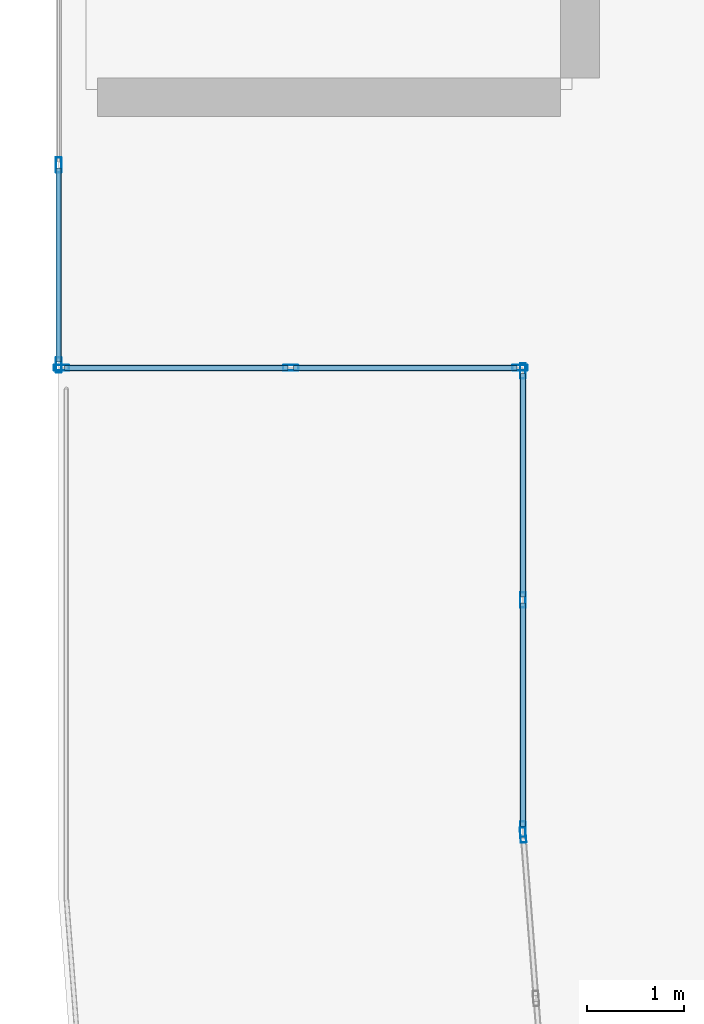
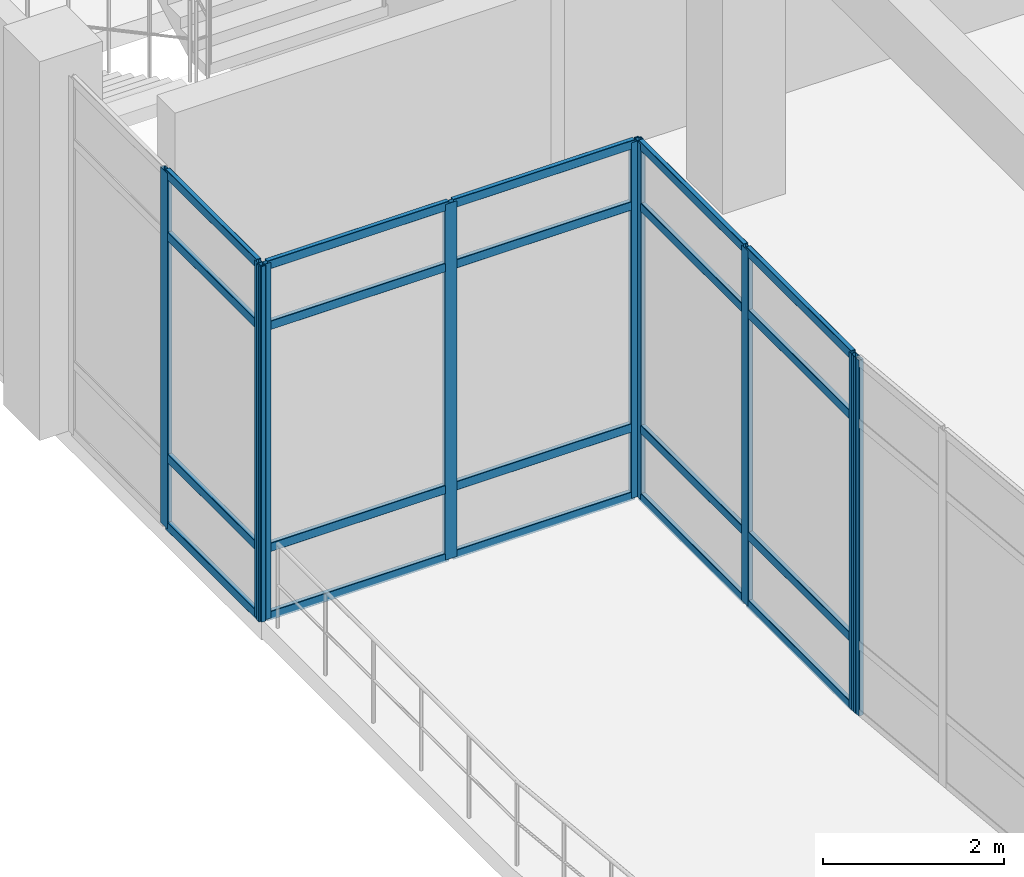
# One storey, part 8 of 124: 29 members, 4 elements without a shape of their own.
"""IFC4 building model written with IfcOpenShell, lengths in metres."""

from ifc_helpers import new_model, si_unit, derived_unit, direction, frame, origin, origin_2d, place, context, subcontext, project, spatial, hollow_rectangle, extrude, material, layer, layer_set, material_profile, profile_set, type_object, element, aggregate, save


model = new_model("IFC4")

# Units and contexts
model_context = context("Model", 3, precision=1e-05, world=origin(), true_north=direction((0.0, 1.0)))
body_context = subcontext(model_context, "Body", "Model", "MODEL_VIEW")
ifc_project = project(units=[si_unit("LENGTHUNIT", "METRE"), si_unit("AREAUNIT", "SQUARE_METRE"), si_unit("VOLUMEUNIT", "CUBIC_METRE"), si_unit("PLANEANGLEUNIT", "RADIAN"), si_unit("MASSUNIT", "GRAM", prefix="KILO"), derived_unit("THERMALTRANSMITTANCEUNIT", [(si_unit("MASSUNIT", "GRAM", prefix="KILO"), 1), (si_unit("TIMEUNIT", "SECOND"), -3), (si_unit("THERMODYNAMICTEMPERATUREUNIT", "KELVIN"), -1)])], contexts=[model_context])

# Site, building, storey
site_placement = place(None, origin())
site = spatial("IfcSite", under=ifc_project, at=site_placement, CompositionType="ELEMENT")
building_placement = place(site_placement, origin())
building = spatial("IfcBuilding", under=site, at=building_placement, Name="Qinzheling Arcade Emporium", CompositionType="ELEMENT")
storey_placement = place(building_placement, frame((0.0, 0.0, 16.5)))
storey = spatial("IfcBuildingStorey", under=building, at=storey_placement, Name="L04", CompositionType="ELEMENT", Elevation=16.5)

# Curtain wall, member
ifc_material_1 = material(Name="Anodised aluminium and solar-control double glazing", Category="aluminium")
ifc_layer_1 = layer(ifc_material_1, 0.159912109375, Name="Anodised aluminium and solar-control double glazing", Category="aluminium")
ifc_layer_set_1 = layer_set([ifc_layer_1], Name="Anodised aluminium and solar-control double glazing")
curtain_wall_type_1 = type_object("IfcCurtainWallType", Name="Curved Ribbon Sales Curtain Wall", PredefinedType="NOTDEFINED", material=ifc_layer_set_1)
curtain_wall_1_placement = place(storey_placement, origin())
curtain_wall_1 = element("IfcCurtainWall", 1, at=curtain_wall_1_placement, inside=storey, type_object=curtain_wall_type_1, Name="Curtain Wall CW-L04-234", PredefinedType="NOTDEFINED")
ifc_material_2 = material(Name="Anodised aluminium 6063-T6", Category="aluminium")
ifc_material_profile_1 = material_profile(ifc_material_2, hollow_rectangle(XDim=0.06005859375, YDim=0.159912109375, WallThickness=0.00390625, InnerFilletRadius=0.00390625, OuterFilletRadius=0.008056640625, at=origin_2d()), Name="RHS 160x60x4", Category="aluminium")
ifc_profile_set_1 = profile_set([ifc_material_profile_1], Name="Anodised aluminium 6063-T6")
member_type_1 = type_object("IfcMemberType", Name="Curtain Wall Mullion RHS160x60", PredefinedType="MULLION", material=ifc_profile_set_1)
member_1_placement = place(storey_placement, frame((4.80224609375, 24.170166015625, 0.0), z_axis=(0.0, 0.0, 1.0), x_axis=(-0.996914870157, -0.078490392152, 0.0)))
member_1 = element("IfcMember", 2, at=member_1_placement, type_object=member_type_1, Name="CW02 mullion 3", PredefinedType="MULLION", context=body_context, shape_type="SweptSolid", body=[
    extrude(hollow_rectangle(XDim=0.06005859375, YDim=0.159912109375, WallThickness=0.00390625, InnerFilletRadius=0.00390625, OuterFilletRadius=0.008056640625, at=origin_2d()), origin(), (0.0, 0.0, 1.0), 4.7900390625),
])
aggregate(curtain_wall_1, [member_1])

# Curtain wall, members
ifc_layer_2 = layer(ifc_material_1, 0.159912109375, Name="Anodised aluminium and solar-control double glazing", Category="aluminium")
ifc_layer_set_2 = layer_set([ifc_layer_2], Name="Anodised aluminium and solar-control double glazing")
curtain_wall_type_2 = type_object("IfcCurtainWallType", Name="Arcade Portal Glazed Curtain Wall", PredefinedType="NOTDEFINED", material=ifc_layer_set_2)
curtain_wall_2_placement = place(storey_placement, origin())
curtain_wall_2 = element("IfcCurtainWall", 3, at=curtain_wall_2_placement, inside=storey, type_object=curtain_wall_type_2, Name="Curtain Wall CW-L04-235", PredefinedType="NOTDEFINED")
member_2_placement = place(storey_placement, frame((4.800048828125, 24.22998046875, 0.0), z_axis=(0.0, 0.0, 1.0), x_axis=(-1.0, 0.0, 0.0)))
member_2 = element("IfcMember", 4, at=member_2_placement, type_object=member_type_1, Name="CW05 mullion 1", PredefinedType="MULLION", context=body_context, shape_type="SweptSolid", body=[
    extrude(hollow_rectangle(XDim=0.06005859375, YDim=0.159912109375, WallThickness=0.00390625, InnerFilletRadius=0.00390625, OuterFilletRadius=0.008056640625, at=origin_2d()), origin(), (0.0, 0.0, 1.0), 4.7900390625),
])
member_3_placement = place(storey_placement, frame((4.800048828125, 26.60009765625, 0.0), z_axis=(0.0, 0.0, 1.0), x_axis=(-1.0, 0.0, 0.0)))
member_3 = element("IfcMember", 5, at=member_3_placement, type_object=member_type_1, Name="CW05 mullion 2", PredefinedType="MULLION", context=body_context, shape_type="SweptSolid", body=[
    extrude(hollow_rectangle(XDim=0.06005859375, YDim=0.159912109375, WallThickness=0.00390625, InnerFilletRadius=0.00390625, OuterFilletRadius=0.008056640625, at=origin_2d()), origin(), (0.0, 0.0, 1.0), 4.7900390625),
])
member_4_placement = place(storey_placement, frame((4.800048828125, 28.969970703125, 0.0), z_axis=(0.0, 0.0, 1.0), x_axis=(-1.0, 0.0, 0.0)))
member_4 = element("IfcMember", 6, at=member_4_placement, type_object=member_type_1, Name="CW05 mullion 3", PredefinedType="MULLION", context=body_context, shape_type="SweptSolid", body=[
    extrude(hollow_rectangle(XDim=0.06005859375, YDim=0.159912109375, WallThickness=0.00390625, InnerFilletRadius=0.00390625, OuterFilletRadius=0.008056640625, at=origin_2d()), origin(), (0.0, 0.0, 1.0), 4.7900390625),
])

curtain_wall_3_placement = place(storey_placement, origin())
curtain_wall_3 = element("IfcCurtainWall", 7, at=curtain_wall_3_placement, inside=storey, type_object=curtain_wall_type_2, Name="Curtain Wall CW-L04-236", PredefinedType="NOTDEFINED")
member_5_placement = place(storey_placement, frame((4.77001953125, 29.0, 0.0), z_axis=(0.0, 0.0, 1.0), x_axis=(0.0, -1.0, 0.0)))
member_5 = element("IfcMember", 8, at=member_5_placement, type_object=member_type_1, Name="CW05 mullion 1", PredefinedType="MULLION", context=body_context, shape_type="SweptSolid", body=[
    extrude(hollow_rectangle(XDim=0.06005859375, YDim=0.159912109375, WallThickness=0.00390625, InnerFilletRadius=0.00390625, OuterFilletRadius=0.008056640625, at=origin_2d()), origin(), (0.0, 0.0, 1.0), 4.7900390625),
])
member_6_placement = place(storey_placement, frame((2.39990234375, 29.0, 0.0), z_axis=(0.0, 0.0, 1.0), x_axis=(0.0, -1.0, 0.0)))
member_6 = element("IfcMember", 9, at=member_6_placement, type_object=member_type_1, Name="CW05 mullion 2", PredefinedType="MULLION", context=body_context, shape_type="SweptSolid", body=[
    extrude(hollow_rectangle(XDim=0.06005859375, YDim=0.159912109375, WallThickness=0.00390625, InnerFilletRadius=0.00390625, OuterFilletRadius=0.008056640625, at=origin_2d()), origin(), (0.0, 0.0, 1.0), 4.7900390625),
])
member_7_placement = place(storey_placement, frame((0.030029296875, 29.0, 0.0), z_axis=(0.0, 0.0, 1.0), x_axis=(0.0, -1.0, 0.0)))
member_7 = element("IfcMember", 10, at=member_7_placement, type_object=member_type_1, Name="CW05 mullion 3", PredefinedType="MULLION", context=body_context, shape_type="SweptSolid", body=[
    extrude(hollow_rectangle(XDim=0.06005859375, YDim=0.159912109375, WallThickness=0.00390625, InnerFilletRadius=0.00390625, OuterFilletRadius=0.008056640625, at=origin_2d()), origin(), (0.0, 0.0, 1.0), 4.7900390625),
])

curtain_wall_4_placement = place(storey_placement, origin())
curtain_wall_4 = element("IfcCurtainWall", 11, at=curtain_wall_4_placement, inside=storey, type_object=curtain_wall_type_2, Name="Curtain Wall CW-L04-237", PredefinedType="NOTDEFINED")
member_8_placement = place(storey_placement, frame((0.0, 29.030029296875, 0.0), z_axis=(0.0, 0.0, 1.0), x_axis=(-1.0, 0.0, 0.0)))
member_8 = element("IfcMember", 12, at=member_8_placement, type_object=member_type_1, Name="CW05 mullion 1", PredefinedType="MULLION", context=body_context, shape_type="SweptSolid", body=[
    extrude(hollow_rectangle(XDim=0.06005859375, YDim=0.159912109375, WallThickness=0.00390625, InnerFilletRadius=0.00390625, OuterFilletRadius=0.008056640625, at=origin_2d()), origin(), (0.0, 0.0, 1.0), 4.7900390625),
])
member_9_placement = place(storey_placement, frame((0.0, 31.09912109375, 0.0), z_axis=(0.0, 0.0, 1.0), x_axis=(-1.0, 0.0, 0.0)))
member_9 = element("IfcMember", 13, at=member_9_placement, type_object=member_type_1, Name="CW05 mullion 2", PredefinedType="MULLION", context=body_context, shape_type="SweptSolid", body=[
    extrude(hollow_rectangle(XDim=0.06005859375, YDim=0.159912109375, WallThickness=0.00390625, InnerFilletRadius=0.00390625, OuterFilletRadius=0.008056640625, at=origin_2d()), origin(), (0.0, 0.0, 1.0), 4.7900390625),
])

# Member
ifc_material_profile_2 = material_profile(ifc_material_2, hollow_rectangle(XDim=0.06005859375, YDim=0.1201171875, WallThickness=0.00390625, InnerFilletRadius=0.00390625, OuterFilletRadius=0.008056640625, at=origin_2d()), Name="RHS 120x60x4", Category="aluminium")
ifc_profile_set_2 = profile_set([ifc_material_profile_2], Name="Anodised aluminium 6063-T6")
member_type_2 = type_object("IfcMemberType", Name="Curtain Wall Transom RHS120x60", PredefinedType="USERDEFINED", material=ifc_profile_set_2)
member_10_placement = place(storey_placement, frame((4.800048828125, 24.260009765625, 0.030029296875), z_axis=(0.0, 1.0, 0.0), x_axis=(-1.0, 0.0, 0.0)))
member_10 = element("IfcMember", 14, at=member_10_placement, type_object=member_type_2, Name="CW05 transom 1.1", ObjectType="TRANSOM", PredefinedType="USERDEFINED", context=body_context, shape_type="SweptSolid", body=[
    extrude(hollow_rectangle(XDim=0.06005859375, YDim=0.1201171875, WallThickness=0.00390625, InnerFilletRadius=0.00390625, OuterFilletRadius=0.008056640625, at=origin_2d()), origin(), (0.0, 0.0, 1.0), 2.31005859375),
])

member_11_placement = place(storey_placement, frame((4.800048828125, 24.260009765625, 0.949951171875), z_axis=(0.0, 1.0, 0.0), x_axis=(-1.0, 0.0, 0.0)))
member_11 = element("IfcMember", 15, at=member_11_placement, type_object=member_type_2, Name="CW05 transom 1.2", ObjectType="TRANSOM", PredefinedType="USERDEFINED", context=body_context, shape_type="SweptSolid", body=[
    extrude(hollow_rectangle(XDim=0.06005859375, YDim=0.1201171875, WallThickness=0.00390625, InnerFilletRadius=0.00390625, OuterFilletRadius=0.008056640625, at=origin_2d()), origin(), (0.0, 0.0, 1.0), 2.31005859375),
])

member_12_placement = place(storey_placement, frame((4.800048828125, 24.260009765625, 3.93994140625), z_axis=(0.0, 1.0, 0.0), x_axis=(-1.0, 0.0, 0.0)))
member_12 = element("IfcMember", 16, at=member_12_placement, type_object=member_type_2, Name="CW05 transom 1.3", ObjectType="TRANSOM", PredefinedType="USERDEFINED", context=body_context, shape_type="SweptSolid", body=[
    extrude(hollow_rectangle(XDim=0.06005859375, YDim=0.1201171875, WallThickness=0.00390625, InnerFilletRadius=0.00390625, OuterFilletRadius=0.008056640625, at=origin_2d()), origin(), (0.0, 0.0, 1.0), 2.31005859375),
])

member_13_placement = place(storey_placement, frame((4.800048828125, 24.260009765625, 4.760009765625), z_axis=(0.0, 1.0, 0.0), x_axis=(-1.0, 0.0, 0.0)))
member_13 = element("IfcMember", 17, at=member_13_placement, type_object=member_type_2, Name="CW05 transom 1.4", ObjectType="TRANSOM", PredefinedType="USERDEFINED", context=body_context, shape_type="SweptSolid", body=[
    extrude(hollow_rectangle(XDim=0.06005859375, YDim=0.1201171875, WallThickness=0.00390625, InnerFilletRadius=0.00390625, OuterFilletRadius=0.008056640625, at=origin_2d()), origin(), (0.0, 0.0, 1.0), 2.31005859375),
])

member_14_placement = place(storey_placement, frame((4.800048828125, 26.6298828125, 0.030029296875), z_axis=(0.0, 1.0, 0.0), x_axis=(-1.0, 0.0, 0.0)))
member_14 = element("IfcMember", 18, at=member_14_placement, type_object=member_type_2, Name="CW05 transom 2.1", ObjectType="TRANSOM", PredefinedType="USERDEFINED", context=body_context, shape_type="SweptSolid", body=[
    extrude(hollow_rectangle(XDim=0.06005859375, YDim=0.1201171875, WallThickness=0.00390625, InnerFilletRadius=0.00390625, OuterFilletRadius=0.008056640625, at=origin_2d()), origin(), (0.0, 0.0, 1.0), 2.31005859375),
])

member_15_placement = place(storey_placement, frame((4.800048828125, 26.6298828125, 0.949951171875), z_axis=(0.0, 1.0, 0.0), x_axis=(-1.0, 0.0, 0.0)))
member_15 = element("IfcMember", 19, at=member_15_placement, type_object=member_type_2, Name="CW05 transom 2.2", ObjectType="TRANSOM", PredefinedType="USERDEFINED", context=body_context, shape_type="SweptSolid", body=[
    extrude(hollow_rectangle(XDim=0.06005859375, YDim=0.1201171875, WallThickness=0.00390625, InnerFilletRadius=0.00390625, OuterFilletRadius=0.008056640625, at=origin_2d()), origin(), (0.0, 0.0, 1.0), 2.31005859375),
])

member_16_placement = place(storey_placement, frame((4.800048828125, 26.6298828125, 3.93994140625), z_axis=(0.0, 1.0, 0.0), x_axis=(-1.0, 0.0, 0.0)))
member_16 = element("IfcMember", 20, at=member_16_placement, type_object=member_type_2, Name="CW05 transom 2.3", ObjectType="TRANSOM", PredefinedType="USERDEFINED", context=body_context, shape_type="SweptSolid", body=[
    extrude(hollow_rectangle(XDim=0.06005859375, YDim=0.1201171875, WallThickness=0.00390625, InnerFilletRadius=0.00390625, OuterFilletRadius=0.008056640625, at=origin_2d()), origin(), (0.0, 0.0, 1.0), 2.31005859375),
])

member_17_placement = place(storey_placement, frame((4.800048828125, 26.6298828125, 4.760009765625), z_axis=(0.0, 1.0, 0.0), x_axis=(-1.0, 0.0, 0.0)))
member_17 = element("IfcMember", 21, at=member_17_placement, type_object=member_type_2, Name="CW05 transom 2.4", ObjectType="TRANSOM", PredefinedType="USERDEFINED", context=body_context, shape_type="SweptSolid", body=[
    extrude(hollow_rectangle(XDim=0.06005859375, YDim=0.1201171875, WallThickness=0.00390625, InnerFilletRadius=0.00390625, OuterFilletRadius=0.008056640625, at=origin_2d()), origin(), (0.0, 0.0, 1.0), 2.31005859375),
])

aggregate(curtain_wall_2, [member_2, member_3, member_4, member_10, member_11, member_12, member_13, member_14, member_15, member_16, member_17])

member_18_placement = place(storey_placement, frame((4.739990234375, 29.0, 0.030029296875), z_axis=(-1.0, 0.0, 0.0), x_axis=(0.0, -1.0, 0.0)))
member_18 = element("IfcMember", 22, at=member_18_placement, type_object=member_type_2, Name="CW05 transom 1.1", ObjectType="TRANSOM", PredefinedType="USERDEFINED", context=body_context, shape_type="SweptSolid", body=[
    extrude(hollow_rectangle(XDim=0.06005859375, YDim=0.1201171875, WallThickness=0.00390625, InnerFilletRadius=0.00390625, OuterFilletRadius=0.008056640625, at=origin_2d()), origin(), (0.0, 0.0, 1.0), 2.31005859375),
])

member_19_placement = place(storey_placement, frame((4.739990234375, 29.0, 0.949951171875), z_axis=(-1.0, 0.0, 0.0), x_axis=(0.0, -1.0, 0.0)))
member_19 = element("IfcMember", 23, at=member_19_placement, type_object=member_type_2, Name="CW05 transom 1.2", ObjectType="TRANSOM", PredefinedType="USERDEFINED", context=body_context, shape_type="SweptSolid", body=[
    extrude(hollow_rectangle(XDim=0.06005859375, YDim=0.1201171875, WallThickness=0.00390625, InnerFilletRadius=0.00390625, OuterFilletRadius=0.008056640625, at=origin_2d()), origin(), (0.0, 0.0, 1.0), 2.31005859375),
])

member_20_placement = place(storey_placement, frame((4.739990234375, 29.0, 3.93994140625), z_axis=(-1.0, 0.0, 0.0), x_axis=(0.0, -1.0, 0.0)))
member_20 = element("IfcMember", 24, at=member_20_placement, type_object=member_type_2, Name="CW05 transom 1.3", ObjectType="TRANSOM", PredefinedType="USERDEFINED", context=body_context, shape_type="SweptSolid", body=[
    extrude(hollow_rectangle(XDim=0.06005859375, YDim=0.1201171875, WallThickness=0.00390625, InnerFilletRadius=0.00390625, OuterFilletRadius=0.008056640625, at=origin_2d()), origin(), (0.0, 0.0, 1.0), 2.31005859375),
])

member_21_placement = place(storey_placement, frame((4.739990234375, 29.0, 4.760009765625), z_axis=(-1.0, 0.0, 0.0), x_axis=(0.0, -1.0, 0.0)))
member_21 = element("IfcMember", 25, at=member_21_placement, type_object=member_type_2, Name="CW05 transom 1.4", ObjectType="TRANSOM", PredefinedType="USERDEFINED", context=body_context, shape_type="SweptSolid", body=[
    extrude(hollow_rectangle(XDim=0.06005859375, YDim=0.1201171875, WallThickness=0.00390625, InnerFilletRadius=0.00390625, OuterFilletRadius=0.008056640625, at=origin_2d()), origin(), (0.0, 0.0, 1.0), 2.31005859375),
])

member_22_placement = place(storey_placement, frame((2.3701171875, 29.0, 0.030029296875), z_axis=(-1.0, 0.0, 0.0), x_axis=(0.0, -1.0, 0.0)))
member_22 = element("IfcMember", 26, at=member_22_placement, type_object=member_type_2, Name="CW05 transom 2.1", ObjectType="TRANSOM", PredefinedType="USERDEFINED", context=body_context, shape_type="SweptSolid", body=[
    extrude(hollow_rectangle(XDim=0.06005859375, YDim=0.1201171875, WallThickness=0.00390625, InnerFilletRadius=0.00390625, OuterFilletRadius=0.008056640625, at=origin_2d()), origin(), (0.0, 0.0, 1.0), 2.31005859375),
])

member_23_placement = place(storey_placement, frame((2.3701171875, 29.0, 0.949951171875), z_axis=(-1.0, 0.0, 0.0), x_axis=(0.0, -1.0, 0.0)))
member_23 = element("IfcMember", 27, at=member_23_placement, type_object=member_type_2, Name="CW05 transom 2.2", ObjectType="TRANSOM", PredefinedType="USERDEFINED", context=body_context, shape_type="SweptSolid", body=[
    extrude(hollow_rectangle(XDim=0.06005859375, YDim=0.1201171875, WallThickness=0.00390625, InnerFilletRadius=0.00390625, OuterFilletRadius=0.008056640625, at=origin_2d()), origin(), (0.0, 0.0, 1.0), 2.31005859375),
])

member_24_placement = place(storey_placement, frame((2.3701171875, 29.0, 3.93994140625), z_axis=(-1.0, 0.0, 0.0), x_axis=(0.0, -1.0, 0.0)))
member_24 = element("IfcMember", 28, at=member_24_placement, type_object=member_type_2, Name="CW05 transom 2.3", ObjectType="TRANSOM", PredefinedType="USERDEFINED", context=body_context, shape_type="SweptSolid", body=[
    extrude(hollow_rectangle(XDim=0.06005859375, YDim=0.1201171875, WallThickness=0.00390625, InnerFilletRadius=0.00390625, OuterFilletRadius=0.008056640625, at=origin_2d()), origin(), (0.0, 0.0, 1.0), 2.31005859375),
])

member_25_placement = place(storey_placement, frame((2.3701171875, 29.0, 4.760009765625), z_axis=(-1.0, 0.0, 0.0), x_axis=(0.0, -1.0, 0.0)))
member_25 = element("IfcMember", 29, at=member_25_placement, type_object=member_type_2, Name="CW05 transom 2.4", ObjectType="TRANSOM", PredefinedType="USERDEFINED", context=body_context, shape_type="SweptSolid", body=[
    extrude(hollow_rectangle(XDim=0.06005859375, YDim=0.1201171875, WallThickness=0.00390625, InnerFilletRadius=0.00390625, OuterFilletRadius=0.008056640625, at=origin_2d()), origin(), (0.0, 0.0, 1.0), 2.31005859375),
])

aggregate(curtain_wall_3, [member_5, member_6, member_7, member_18, member_19, member_20, member_21, member_22, member_23, member_24, member_25])

member_26_placement = place(storey_placement, frame((0.0, 29.06005859375, 0.030029296875), z_axis=(0.0, 1.0, 0.0), x_axis=(-1.0, 0.0, 0.0)))
member_26 = element("IfcMember", 30, at=member_26_placement, type_object=member_type_2, Name="CW05 transom 1.1", ObjectType="TRANSOM", PredefinedType="USERDEFINED", context=body_context, shape_type="SweptSolid", body=[
    extrude(hollow_rectangle(XDim=0.06005859375, YDim=0.1201171875, WallThickness=0.00390625, InnerFilletRadius=0.00390625, OuterFilletRadius=0.008056640625, at=origin_2d()), origin(), (0.0, 0.0, 1.0), 2.009033203125),
])

member_27_placement = place(storey_placement, frame((0.0, 29.06005859375, 0.949951171875), z_axis=(0.0, 1.0, 0.0), x_axis=(-1.0, 0.0, 0.0)))
member_27 = element("IfcMember", 31, at=member_27_placement, type_object=member_type_2, Name="CW05 transom 1.2", ObjectType="TRANSOM", PredefinedType="USERDEFINED", context=body_context, shape_type="SweptSolid", body=[
    extrude(hollow_rectangle(XDim=0.06005859375, YDim=0.1201171875, WallThickness=0.00390625, InnerFilletRadius=0.00390625, OuterFilletRadius=0.008056640625, at=origin_2d()), origin(), (0.0, 0.0, 1.0), 2.009033203125),
])

member_28_placement = place(storey_placement, frame((0.0, 29.06005859375, 3.93994140625), z_axis=(0.0, 1.0, 0.0), x_axis=(-1.0, 0.0, 0.0)))
member_28 = element("IfcMember", 32, at=member_28_placement, type_object=member_type_2, Name="CW05 transom 1.3", ObjectType="TRANSOM", PredefinedType="USERDEFINED", context=body_context, shape_type="SweptSolid", body=[
    extrude(hollow_rectangle(XDim=0.06005859375, YDim=0.1201171875, WallThickness=0.00390625, InnerFilletRadius=0.00390625, OuterFilletRadius=0.008056640625, at=origin_2d()), origin(), (0.0, 0.0, 1.0), 2.009033203125),
])

member_29_placement = place(storey_placement, frame((0.0, 29.06005859375, 4.760009765625), z_axis=(0.0, 1.0, 0.0), x_axis=(-1.0, 0.0, 0.0)))
member_29 = element("IfcMember", 33, at=member_29_placement, type_object=member_type_2, Name="CW05 transom 1.4", ObjectType="TRANSOM", PredefinedType="USERDEFINED", context=body_context, shape_type="SweptSolid", body=[
    extrude(hollow_rectangle(XDim=0.06005859375, YDim=0.1201171875, WallThickness=0.00390625, InnerFilletRadius=0.00390625, OuterFilletRadius=0.008056640625, at=origin_2d()), origin(), (0.0, 0.0, 1.0), 2.009033203125),
])

aggregate(curtain_wall_4, [member_8, member_9, member_26, member_27, member_28, member_29])

save(model, "model.ifc")
